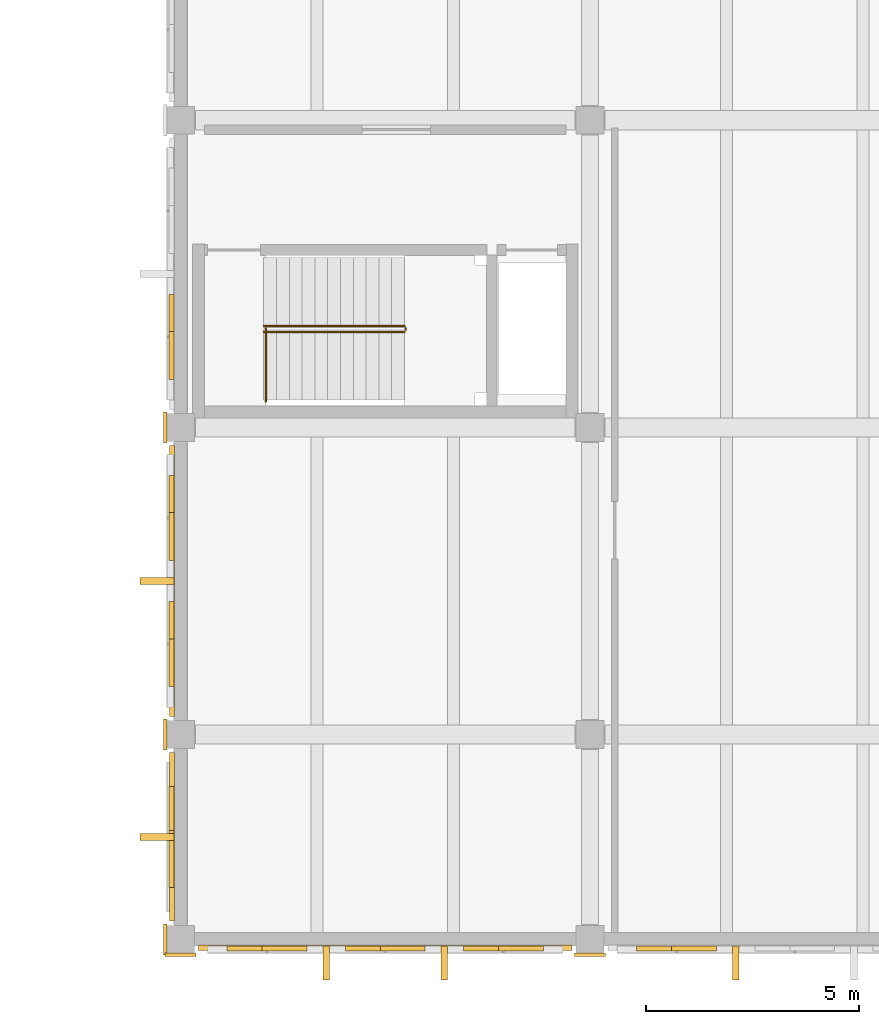
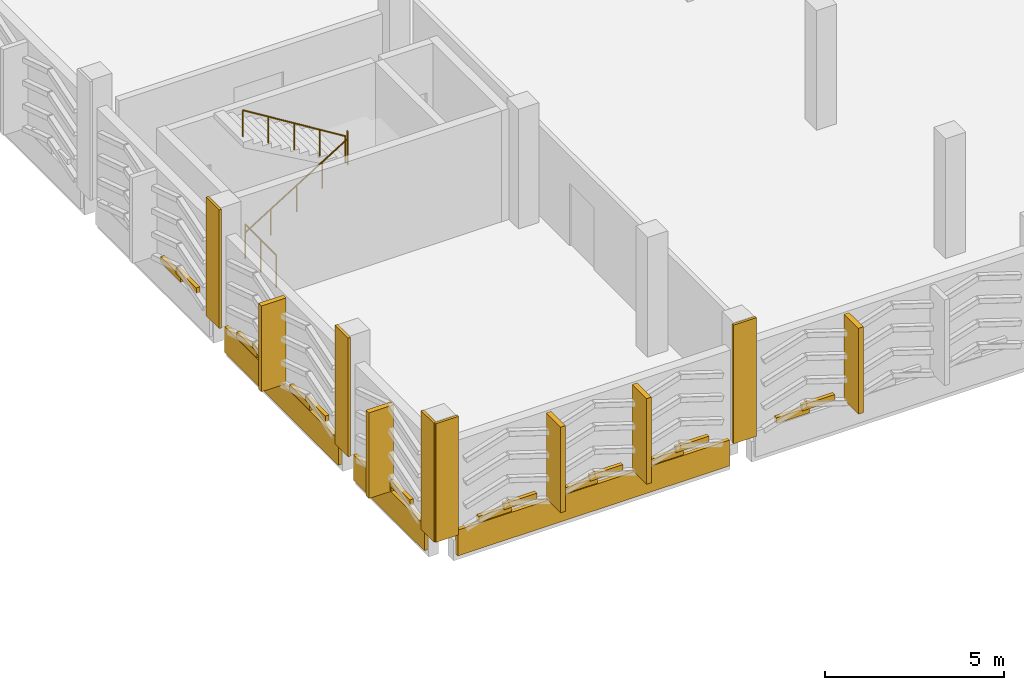
# One storey, part 122 of 134: 29 coverings, 4 railings.
"""IFC4 building model written with IfcOpenShell, lengths in metres."""

from ifc_helpers import new_model, si_unit, direction, frame, origin, origin_2d, place, context, subcontext, project, spatial, rectangle, circle, extrude, material, layer, layer_set, type_object, element, save


model = new_model("IFC4")

# Units and contexts
model_context = context("Model", 3, precision=1e-05, world=origin(), true_north=direction((0.0, 1.0)))
body_context = subcontext(model_context, "Body", "Model", "MODEL_VIEW")
ifc_project = project(units=[si_unit("LENGTHUNIT", "METRE"), si_unit("AREAUNIT", "SQUARE_METRE"), si_unit("VOLUMEUNIT", "CUBIC_METRE"), si_unit("PLANEANGLEUNIT", "RADIAN"), si_unit("MASSUNIT", "GRAM", prefix="KILO")], contexts=[model_context])

# Site, building, storey
site_placement = place(None, origin())
site = spatial("IfcSite", under=ifc_project, at=site_placement, CompositionType="ELEMENT")
building_placement = place(site_placement, origin())
building = spatial("IfcBuilding", under=site, at=building_placement, Name="Asteropetra Specialist Clinic", CompositionType="ELEMENT")
storey_placement = place(building_placement, frame((0.0, 0.0, 8.5)))
storey = spatial("IfcBuildingStorey", under=building, at=storey_placement, Name="L02", CompositionType="ELEMENT", Elevation=8.5)

# Coverings
ifc_material_1 = material(Name="Chevron aegean mid")
ifc_layer_1 = layer(ifc_material_1, 0.1201171875)
ifc_layer_set_1 = layer_set([ifc_layer_1], Name="Chevron aegean mid")
covering_type_1 = type_object("IfcCoveringType", Name="CLD-AEG-MID", PredefinedType="CLADDING", material=ifc_layer_set_1)
covering_1_placement = place(storey_placement, frame((110.39990234375, -0.197509765625, -0.800048828125), z_axis=(0.0, 0.0, 1.0), x_axis=(1.0, 0.0, 0.0)))
element("IfcCovering", 1, at=covering_1_placement, inside=storey, type_object=covering_type_1, Name="Chevron Spandrel Band CV-2145", PredefinedType="CLADDING", context=body_context, shape_type="SweptSolid", body=[
    extrude(rectangle(XDim=8.75, YDim=0.1201171875, at=origin_2d()), origin(), (0.0, 0.0, 1.0), 0.8798828125),
])
for number, where, z_axis, x_axis, name in (
    (2, (107.220458984375, -0.21240234375, 0.1201171875), (0.0, 0.0, 1.0), (1.0, 0.0, 0.0), "Chevron Ceramic Band CV-2146"),
    (3, (108.03955078125, -0.21240234375, 0.26025390625), (0.0, 0.0, 1.0), (1.0, 0.0, 0.0), "Chevron Ceramic Band CV-2147"),
    (4, (109.990478515625, -0.21240234375, 0.1201171875), (0.0, 0.0, 1.0), (1.0, 0.0, 0.0), "Chevron Ceramic Band CV-2148"),
    (5, (110.8095703125, -0.21240234375, 0.26025390625), (0.0, 0.0, 1.0), (1.0, 0.0, 0.0), "Chevron Ceramic Band CV-2149"),
    (6, (112.760498046875, -0.21240234375, 0.1201171875), (0.0, 0.0, 1.0), (1.0, 0.0, 0.0), "Chevron Ceramic Band CV-2150"),
    (7, (113.57958984375, -0.21240234375, 0.26025390625), (0.0, 0.0, 1.0), (1.0, 0.0, 0.0), "Chevron Ceramic Band CV-2151"),
    (8, (116.820556640625, -0.21240234375, 0.1201171875), (0.0, 0.0, 1.0), (1.0, 0.0, 0.0), "Chevron Ceramic Band CV-2160"),
    (9, (117.639404296875, -0.21240234375, 0.26025390625), (0.0, 0.0, 1.0), (1.0, 0.0, 0.0), "Chevron Ceramic Band CV-2161"),
):
    element("IfcCovering", number, at=place(storey_placement, frame(where, z_axis=z_axis, x_axis=x_axis)), inside=storey, type_object=covering_type_1, Name=name, PredefinedType="CLADDING", context=body_context, shape_type="SweptSolid", body=[
        extrude(rectangle(XDim=1.052978515625, YDim=0.1201171875, at=origin_2d()), origin(), (0.0, 0.0, 1.0), 0.199951171875),
    ])
covering_2_placement = place(storey_placement, frame((105.402587890625, 2.39990234375, -0.800048828125), z_axis=(0.0, 0.0, 1.0), x_axis=(1.0, 0.0, 0.0)))
element("IfcCovering", 10, at=covering_2_placement, inside=storey, type_object=covering_type_1, Name="Chevron Spandrel Band CV-2209", PredefinedType="CLADDING", context=body_context, shape_type="SweptSolid", body=[
    extrude(rectangle(XDim=0.1201171875, YDim=3.949951171875, at=origin_2d()), origin(), (0.0, 0.0, 1.0), 0.8798828125),
])
for number, where, z_axis, x_axis, name in (
    (11, (105.387451171875, 2.92041015625, 0.1201171875), (0.0, 0.0, 1.0), (1.0, 0.0, 0.0), "Chevron Ceramic Band CV-2210"),
    (12, (105.387451171875, 1.87939453125, 0.26025390625), (0.0, 0.0, 1.0), (1.0, 0.0, 0.0), "Chevron Ceramic Band CV-2211"),
):
    element("IfcCovering", number, at=place(storey_placement, frame(where, z_axis=z_axis, x_axis=x_axis)), inside=storey, type_object=covering_type_1, Name=name, PredefinedType="CLADDING", context=body_context, shape_type="SweptSolid", body=[
        extrude(rectangle(XDim=0.1201171875, YDim=1.333984375, at=origin_2d()), origin(), (0.0, 0.0, 1.0), 0.199951171875),
    ])
covering_3_placement = place(storey_placement, frame((105.402587890625, 8.39990234375, -0.800048828125), z_axis=(0.0, 0.0, 1.0), x_axis=(1.0, 0.0, 0.0)))
element("IfcCovering", 13, at=covering_3_placement, inside=storey, type_object=covering_type_1, Name="Chevron Spandrel Band CV-2215", PredefinedType="CLADDING", context=body_context, shape_type="SweptSolid", body=[
    extrude(rectangle(XDim=0.1201171875, YDim=6.35009765625, at=origin_2d()), origin(), (0.0, 0.0, 1.0), 0.8798828125),
])
for number, where, z_axis, x_axis, name in (
    (14, (105.387451171875, 10.314697265625, 0.1201171875), (0.0, 0.0, 1.0), (1.0, 0.0, 0.0), "Chevron Ceramic Band CV-2216"),
    (15, (105.387451171875, 9.440185546875, 0.26025390625), (0.0, 0.0, 1.0), (1.0, 0.0, 0.0), "Chevron Ceramic Band CV-2217"),
    (16, (105.387451171875, 7.35986328125, 0.1201171875), (0.0, 0.0, 1.0), (1.0, 0.0, 0.0), "Chevron Ceramic Band CV-2218"),
    (17, (105.387451171875, 6.485107421875, 0.26025390625), (0.0, 0.0, 1.0), (1.0, 0.0, 0.0), "Chevron Ceramic Band CV-2219"),
    (18, (105.387451171875, 14.559814453125, 0.1201171875), (0.0, 0.0, 1.0), (1.0, 0.0, 0.0), "Chevron Ceramic Band CV-2228"),
    (19, (105.387451171875, 13.685302734375, 0.26025390625), (0.0, 0.0, 1.0), (1.0, 0.0, 0.0), "Chevron Ceramic Band CV-2229"),
):
    element("IfcCovering", number, at=place(storey_placement, frame(where, z_axis=z_axis, x_axis=x_axis)), inside=storey, type_object=covering_type_1, Name=name, PredefinedType="CLADDING", context=body_context, shape_type="SweptSolid", body=[
        extrude(rectangle(XDim=0.1201171875, YDim=1.123046875, at=origin_2d()), origin(), (0.0, 0.0, 1.0), 0.199951171875),
    ])
ifc_material_2 = material(Name="Pentelic marble ashlar", Category="masonry")
ifc_layer_2 = layer(ifc_material_2, 0.159912109375)
ifc_layer_set_2 = layer_set([ifc_layer_2], Name="Pentelic marble ashlar")
covering_type_2 = type_object("IfcCoveringType", Name="CRN-ENTAB-600", PredefinedType="MOLDING", material=ifc_layer_set_2)
covering_4_placement = place(storey_placement, frame((105.60009765625, -0.35693359375, 0.02001953125), z_axis=(0.0, 0.0, 1.0), x_axis=(1.0, 0.0, 0.0)))
element("IfcCovering", 20, at=covering_4_placement, inside=storey, type_object=covering_type_2, Name="Neoclassical Pilaster Facing CM-1109", PredefinedType="MOLDING", context=body_context, shape_type="SweptSolid", body=[
    extrude(rectangle(XDim=0.72998046875, YDim=0.080078125, at=origin_2d()), origin(), (0.0, 0.0, 1.0), 4.0400390625),
])
for number, where, z_axis, x_axis, name in (
    (21, (105.242919921875, 0.0, 0.02001953125), (0.0, 0.0, 1.0), (1.0, 0.0, 0.0), "Neoclassical Pilaster Facing CM-1110"),
    (22, (105.242919921875, 4.800048828125, 0.02001953125), (0.0, 0.0, 1.0), (1.0, 0.0, 0.0), "Neoclassical Pilaster Facing CM-1111"),
    (23, (105.242919921875, 12.0, 0.02001953125), (0.0, 0.0, 1.0), (1.0, 0.0, 0.0), "Neoclassical Pilaster Facing CM-1112"),
):
    element("IfcCovering", number, at=place(storey_placement, frame(where, z_axis=z_axis, x_axis=x_axis)), inside=storey, type_object=covering_type_2, Name=name, PredefinedType="MOLDING", context=body_context, shape_type="SweptSolid", body=[
        extrude(rectangle(XDim=0.080078125, YDim=0.72998046875, at=origin_2d()), origin(), (0.0, 0.0, 1.0), 4.0400390625),
    ])
covering_5_placement = place(storey_placement, frame((115.199951171875, -0.35693359375, 0.02001953125), z_axis=(0.0, 0.0, 1.0), x_axis=(1.0, 0.0, 0.0)))
element("IfcCovering", 24, at=covering_5_placement, inside=storey, type_object=covering_type_2, Name="Neoclassical Pilaster Facing CM-1119", PredefinedType="MOLDING", context=body_context, shape_type="SweptSolid", body=[
    extrude(rectangle(XDim=0.72998046875, YDim=0.080078125, at=origin_2d()), origin(), (0.0, 0.0, 1.0), 4.0400390625),
])
ifc_material_3 = material(Name="Pentelic marble solar fin", Category="masonry")
ifc_layer_3 = layer(ifc_material_3, 0.080078125)
ifc_layer_set_3 = layer_set([ifc_layer_3], Name="Pentelic marble solar fin")
covering_type_3 = type_object("IfcCoveringType", Name="FIN-SOLAR-800", PredefinedType="MOLDING", material=ifc_layer_set_3)
for number, where, z_axis, x_axis, name in (
    (25, (109.014892578125, -0.552490234375, 0.070068359375), (0.0, 0.0, 1.0), (1.0, 0.0, 0.0), "Solar Shading Fin FN-0184"),
    (26, (111.784912109375, -0.552490234375, 0.070068359375), (0.0, 0.0, 1.0), (1.0, 0.0, 0.0), "Solar Shading Fin FN-0185"),
    (27, (118.614990234375, -0.552490234375, 0.070068359375), (0.0, 0.0, 1.0), (1.0, 0.0, 0.0), "Solar Shading Fin FN-0188"),
):
    element("IfcCovering", number, at=place(storey_placement, frame(where, z_axis=z_axis, x_axis=x_axis)), inside=storey, type_object=covering_type_3, Name=name, PredefinedType="MOLDING", context=body_context, shape_type="SweptSolid", body=[
        extrude(rectangle(XDim=0.159912109375, YDim=0.800048828125, at=origin_2d()), origin(), (0.0, 0.0, 1.0), 2.919921875),
    ])
for number, where, z_axis, x_axis, name in (
    (28, (105.047607421875, 2.39990234375, 0.070068359375), (0.0, 0.0, 1.0), (1.0, 0.0, 0.0), "Solar Shading Fin FN-0202"),
    (29, (105.047607421875, 8.39990234375, 0.070068359375), (0.0, 0.0, 1.0), (1.0, 0.0, 0.0), "Solar Shading Fin FN-0204"),
):
    element("IfcCovering", number, at=place(storey_placement, frame(where, z_axis=z_axis, x_axis=x_axis)), inside=storey, type_object=covering_type_3, Name=name, PredefinedType="MOLDING", context=body_context, shape_type="SweptSolid", body=[
        extrude(rectangle(XDim=0.800048828125, YDim=0.159912109375, at=origin_2d()), origin(), (0.0, 0.0, 1.0), 2.919921875),
    ])

# Railings
ifc_material_4 = material(Name="Steel S355 and laminated glass guard", Category="steel")
railing_type_1 = type_object("IfcRailingType", Name="GRD-INT-1120", PredefinedType="GUARDRAIL", material=ifc_material_4)
railing_1_placement = place(storey_placement, frame((107.60009765625, 12.60009765625, 0.0)))
element("IfcRailing", 30, at=railing_1_placement, inside=storey, type_object=railing_type_1, Name="Stair Well Guard ST08-L01", PredefinedType="GUARDRAIL", context=body_context, shape_type="SweptSolid", body=[
    extrude(circle(Radius=0.02392578125, at=origin_2d()), frame((0.0, 0.0, 1.09619140625), z_axis=(0.0, 1.0, 0.0), x_axis=(-1.0, 0.0, 0.0)), (0.0, 0.0, 1.0), 1.72998046875),
    extrude(circle(Radius=0.02099609375, at=origin_2d()), origin(), (0.0, 0.0, 1.0), 1.072021484375),
    extrude(circle(Radius=0.02099609375, at=origin_2d()), frame((0.0, 0.864990234375, 0.0)), (0.0, 0.0, 1.0), 1.072021484375),
    extrude(circle(Radius=0.02099609375, at=origin_2d()), frame((0.0, 1.72998046875, 0.0)), (0.0, 0.0, 1.0), 1.072021484375),
])
railing_2_placement = place(storey_placement, frame((110.8798828125, 14.2900390625, 2.0400390625)))
element("IfcRailing", 31, at=railing_2_placement, inside=storey, type_object=railing_type_1, Name="Landing Slot Guard ST08-L02", PredefinedType="GUARDRAIL", context=body_context, shape_type="SweptSolid", body=[
    extrude(circle(Radius=0.02392578125, at=origin_2d()), frame((0.0, 0.0, 1.09619140625), z_axis=(0.0, 1.0, 0.0), x_axis=(-1.0, 0.0, 0.0)), (0.0, 0.0, 1.0), 0.0400390625),
    extrude(circle(Radius=0.02099609375, at=origin_2d()), origin(), (0.0, 0.0, 1.0), 1.072021484375),
    extrude(circle(Radius=0.02099609375, at=origin_2d()), frame((0.0, 0.0400390625, 0.0)), (0.0, 0.0, 1.0), 1.072021484375),
])
ifc_material_5 = material(Name="Brushed stainless steel handrail", Category="steel")
railing_type_2 = type_object("IfcRailingType", Name="HRL-STAIR-920", PredefinedType="HANDRAIL", material=ifc_material_5)
railing_3_placement = place(storey_placement, frame((107.550048828125, 14.239990234375, 0.0)))
element("IfcRailing", 32, at=railing_3_placement, inside=storey, type_object=railing_type_2, Name="Stair Handrail ST08-L02 F1", PredefinedType="HANDRAIL", context=body_context, shape_type="SweptSolid", body=[
    extrude(circle(Radius=0.02392578125, at=origin_2d()), frame((0.0, 0.0, 0.89599609375), z_axis=(0.850593546085, 0.0, 0.525823753132), x_axis=(0.0, 1.0, 0.0)), (0.0, 0.0, 1.0), 3.879638671875),
    extrude(circle(Radius=0.02099609375, at=origin_2d()), origin(), (0.0, 0.0, 1.0), 0.871826171875),
    extrude(circle(Radius=0.02099609375, at=origin_2d()), frame((0.824951171875, 0.0, 0.510009765625)), (0.0, 0.0, 1.0), 0.871826171875),
    extrude(circle(Radius=0.02099609375, at=origin_2d()), frame((1.64990234375, 0.0, 1.02001953125)), (0.0, 0.0, 1.0), 0.871826171875),
    extrude(circle(Radius=0.02099609375, at=origin_2d()), frame((2.47509765625, 0.0, 1.530029296875)), (0.0, 0.0, 1.0), 0.871826171875),
    extrude(circle(Radius=0.02099609375, at=origin_2d()), frame((3.300048828125, 0.0, 2.0400390625)), (0.0, 0.0, 1.0), 0.871826171875),
])
railing_4_placement = place(storey_placement, frame((110.85009765625, 14.3798828125, 2.0400390625)))
element("IfcRailing", 33, at=railing_4_placement, inside=storey, type_object=railing_type_2, Name="Stair Handrail ST08-L02 F2", PredefinedType="HANDRAIL", context=body_context, shape_type="SweptSolid", body=[
    extrude(circle(Radius=0.02392578125, at=origin_2d()), frame((0.0, 0.0, 0.89599609375), z_axis=(-0.850593546085, 0.0, 0.525823753132), x_axis=(0.0, -1.0, 0.0)), (0.0, 0.0, 1.0), 3.879638671875),
    extrude(circle(Radius=0.02099609375, at=origin_2d()), origin(), (0.0, 0.0, 1.0), 0.871826171875),
    extrude(circle(Radius=0.02099609375, at=origin_2d()), frame((-0.824951171875, 0.0, 0.510009765625)), (0.0, 0.0, 1.0), 0.871826171875),
    extrude(circle(Radius=0.02099609375, at=origin_2d()), frame((-1.64990234375, 0.0, 1.02001953125)), (0.0, 0.0, 1.0), 0.871826171875),
    extrude(circle(Radius=0.02099609375, at=origin_2d()), frame((-2.47509765625, 0.0, 1.530029296875)), (0.0, 0.0, 1.0), 0.871826171875),
    extrude(circle(Radius=0.02099609375, at=origin_2d()), frame((-3.300048828125, 0.0, 2.0400390625)), (0.0, 0.0, 1.0), 0.871826171875),
])

save(model, "model.ifc")
